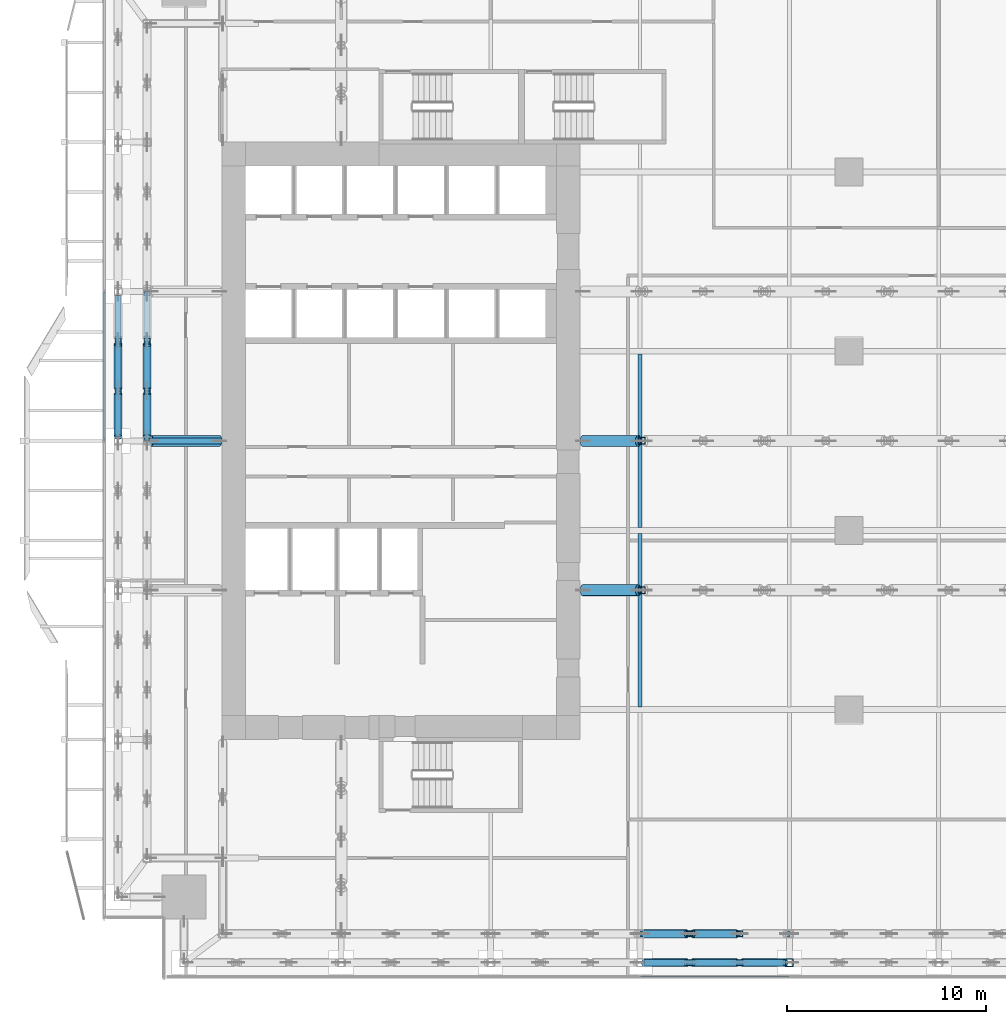
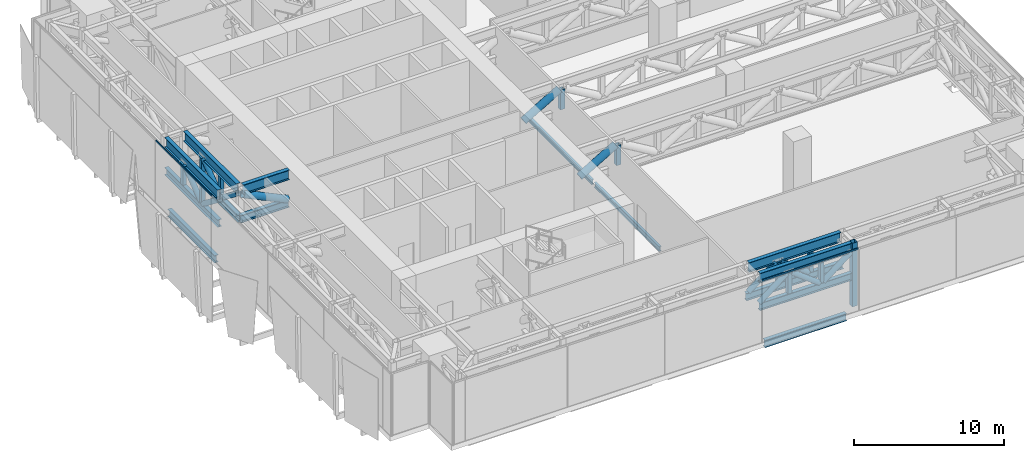
# One storey, part 7 of 39: 35 members, 4 beams, 2 elements without a shape of their own.
"""IFC4 building model written with IfcOpenShell, lengths in metres."""

from ifc_helpers import new_model, si_unit, direction, frame, origin, origin_2d, place, context, subcontext, project, spatial, hollow_rectangle, hollow_circle, i_section, extrude, source, transform, mapped, material, material_profile, profile_set, type_object, element, aggregate, save


model = new_model("IFC4")

# Units and contexts
model_context = context("Model", 3, precision=1e-05, world=origin(), true_north=direction((0.0, 1.0)))
body_context = subcontext(model_context, "Body", "Model", "MODEL_VIEW")
ifc_project = project(units=[si_unit("LENGTHUNIT", "METRE"), si_unit("AREAUNIT", "SQUARE_METRE"), si_unit("VOLUMEUNIT", "CUBIC_METRE"), si_unit("PLANEANGLEUNIT", "RADIAN"), si_unit("MASSUNIT", "GRAM", prefix="KILO")], contexts=[model_context])

# Site, building, storey
site_placement = place(None, origin())
site = spatial("IfcSite", under=ifc_project, at=site_placement, CompositionType="ELEMENT")
building_placement = place(site_placement, origin())
building = spatial("IfcBuilding", under=site, at=building_placement, Name="Khomas Fold Tower", CompositionType="ELEMENT")
storey_placement = place(building_placement, frame((0.0, 0.0, 96.0)))
storey = spatial("IfcBuildingStorey", under=building, at=storey_placement, Name="L20", CompositionType="ELEMENT", Elevation=96.0)

# Beams
ifc_material_1 = material(Name="Steel S355", Category="steel")
ifc_material_profile_1 = material_profile(ifc_material_1, i_section(OverallWidth=0.179931640625, OverallDepth=0.39990234375, WebThickness=0.008544921875, FlangeThickness=0.013427734375, at=origin_2d()), Name="IPE 400")
ifc_profile_set_1 = profile_set([ifc_material_profile_1], Name="Steel S355")
beam_type_1 = type_object("IfcBeamType", Name="IPE 400 beam JB3", PredefinedType="BEAM", material=ifc_profile_set_1)
shared_shape_1 = source(origin(), body_context, "Body", "SweptSolid", [
    extrude(i_section(OverallWidth=0.179931640625, OverallDepth=0.39990234375, WebThickness=0.008544921875, FlangeThickness=0.013427734375, at=origin_2d()), origin(), (0.0, 0.0, 1.0), 8.7001953125),
])
for number, where, z_axis, x_axis, name in (
    (1, (27.0, 13.64990234375, -0.60009765625), (0.0, 1.0, 0.0), (-1.0, 0.0, 0.0), "JB3"),
    (2, (27.0, 22.64990234375, -0.60009765625), (0.0, 1.0, 0.0), (-1.0, 0.0, 0.0), "JB3"),
):
    element("IfcBeam", number, at=place(storey_placement, frame(where, z_axis=z_axis, x_axis=x_axis)), inside=storey, type_object=beam_type_1, Name=name, PredefinedType="BEAM", context=body_context, shape_type="MappedRepresentation", body=[
        mapped(shared_shape_1, transform((0.0, 0.0, 0.0))),
    ])
ifc_material_2 = material(Name="Steel S355", Category="steel")
ifc_material_profile_2 = material_profile(ifc_material_2, i_section(OverallWidth=0.300048828125, OverallDepth=0.60009765625, WebThickness=0.015380859375, FlangeThickness=0.030029296875, at=origin_2d()), Name="HE 600 B")
ifc_profile_set_2 = profile_set([ifc_material_profile_2], Name="Steel S355")
beam_type_2 = type_object("IfcBeamType", Name="HE 600 B spandrel SB1", PredefinedType="SPANDREL", material=ifc_profile_set_2)
shared_shape_2 = source(origin(), body_context, "Body", "SweptSolid", [
    extrude(i_section(OverallWidth=0.300048828125, OverallDepth=0.60009765625, WebThickness=0.015380859375, FlangeThickness=0.030029296875, at=origin_2d()), origin(), (0.0, 0.0, 1.0), 6.2998046875),
])
for number, where, z_axis, x_axis, name in (
    (3, (27.60009765625, 0.800048828125, -0.699951171875), (1.0, 0.0, 0.0), (0.0, 1.0, 0.0), "SB1"),
    (4, (0.800048828125, 27.60009765625, -0.699951171875), (0.0, 1.0, 0.0), (-1.0, 0.0, 0.0), "SB1"),
):
    element("IfcBeam", number, at=place(storey_placement, frame(where, z_axis=z_axis, x_axis=x_axis)), inside=storey, type_object=beam_type_2, Name=name, PredefinedType="SPANDREL", context=body_context, shape_type="MappedRepresentation", body=[
        mapped(shared_shape_2, transform((0.0, 0.0, 0.0))),
    ])

# Members
ifc_material_3 = material(Name="Steel S355", Category="steel")
ifc_material_profile_3 = material_profile(ifc_material_3, i_section(OverallWidth=0.300048828125, OverallDepth=0.60009765625, WebThickness=0.015380859375, FlangeThickness=0.030029296875, at=origin_2d()), Name="HE 600 B")
ifc_profile_set_3 = profile_set([ifc_material_profile_3], Name="Steel S355")
member_type_1 = type_object("IfcMemberType", Name="BELT TRUSS 1 BOTTOM CHORD HE 600 B", PredefinedType="CHORD", material=ifc_profile_set_3)
shared_shape_3 = source(origin(), body_context, "Body", "SweptSolid", [
    extrude(i_section(OverallWidth=0.300048828125, OverallDepth=0.60009765625, WebThickness=0.015380859375, FlangeThickness=0.030029296875, at=origin_2d()), origin(), (0.0, 0.0, 1.0), 7.5),
])
for number, where, z_axis, x_axis, name in (
    (5, (27.0, 2.25, 2.449951171875), (1.0, 0.0, 0.0), (0.0, 1.0, 0.0), "BT1-CB"),
    (6, (2.25, 34.5, 2.449951171875), (0.0, -1.0, 0.0), (1.0, 0.0, 0.0), "BT1-CB"),
):
    element("IfcMember", number, at=place(storey_placement, frame(where, z_axis=z_axis, x_axis=x_axis)), inside=storey, type_object=member_type_1, Name=name, PredefinedType="CHORD", context=body_context, shape_type="MappedRepresentation", body=[
        mapped(shared_shape_3, transform((0.0, 0.0, 0.0))),
    ])
ifc_material_4 = material(Name="Steel S355", Category="steel")
ifc_material_profile_4 = material_profile(ifc_material_4, hollow_rectangle(XDim=0.300048828125, YDim=0.300048828125, WallThickness=0.01611328125, at=origin_2d()), Name="SHS 300x300x16")
ifc_profile_set_4 = profile_set([ifc_material_profile_4], Name="Steel S355")
member_type_2 = type_object("IfcMemberType", Name="BELT TRUSS 1 MID POST SHS 300x300x16", PredefinedType="POST", material=ifc_profile_set_4)
shared_shape_4 = source(origin(), body_context, "Body", "SweptSolid", [
    extrude(hollow_rectangle(XDim=0.300048828125, YDim=0.300048828125, WallThickness=0.01611328125, at=origin_2d()), origin(), (0.0, 0.0, 1.0), 1.64990234375),
])
for number, where, z_axis, x_axis, name in (
    (7, (29.5, 0.800048828125, 2.75), (0.0, 0.0, 1.0), (1.0, 0.0, 0.0), "BT1-M"),
    (8, (32.0, 0.800048828125, 2.75), (0.0, 0.0, 1.0), (1.0, 0.0, 0.0), "BT1-M"),
    (9, (0.800048828125, 32.0, 2.75), (0.0, 0.0, 1.0), (1.0, 0.0, 0.0), "BT1-M"),
    (10, (0.800048828125, 29.5, 2.75), (0.0, 0.0, 1.0), (1.0, 0.0, 0.0), "BT1-M"),
    (11, (29.5, 2.25, 2.75), (0.0, 0.0, 1.0), (1.0, 0.0, 0.0), "BT1-M"),
    (12, (32.0, 2.25, 2.75), (0.0, 0.0, 1.0), (1.0, 0.0, 0.0), "BT1-M"),
    (13, (2.25, 32.0, 2.75), (0.0, 0.0, 1.0), (1.0, 0.0, 0.0), "BT1-M"),
    (14, (2.25, 29.5, 2.75), (0.0, 0.0, 1.0), (1.0, 0.0, 0.0), "BT1-M"),
):
    element("IfcMember", number, at=place(storey_placement, frame(where, z_axis=z_axis, x_axis=x_axis)), inside=storey, type_object=member_type_2, Name=name, PredefinedType="POST", context=body_context, shape_type="MappedRepresentation", body=[
        mapped(shared_shape_4, transform((0.0, 0.0, 0.0))),
    ])
ifc_material_5 = material(Name="Steel S460M", Category="steel")
ifc_material_profile_5 = material_profile(ifc_material_5, i_section(OverallWidth=0.300048828125, OverallDepth=0.800048828125, WebThickness=0.017578125, FlangeThickness=0.032958984375, at=origin_2d()), Name="HE 800 B")
ifc_profile_set_5 = profile_set([ifc_material_profile_5], Name="Steel S460M")
member_type_3 = type_object("IfcMemberType", Name="BELT TRUSS 1 TOP CHORD HE 800 B", PredefinedType="CHORD", material=ifc_profile_set_5)
shared_shape_5 = source(origin(), body_context, "Body", "SweptSolid", [
    extrude(i_section(OverallWidth=0.300048828125, OverallDepth=0.800048828125, WebThickness=0.017578125, FlangeThickness=0.032958984375, at=origin_2d()), origin(), (0.0, 0.0, 1.0), 7.10009765625),
])
for number, where, z_axis, x_axis, name in (
    (15, (27.199951171875, 0.800048828125, 4.800048828125), (1.0, 0.0, 0.0), (0.0, 1.0, 0.0), "BT1-CT"),
    (16, (0.800048828125, 34.300048828125, 4.800048828125), (0.0, -1.0, 0.0), (1.0, 0.0, 0.0), "BT1-CT"),
    (17, (27.199951171875, 2.25, 4.800048828125), (1.0, 0.0, 0.0), (0.0, 1.0, 0.0), "BT1-CT"),
    (18, (2.25, 34.300048828125, 4.800048828125), (0.0, -1.0, 0.0), (1.0, 0.0, 0.0), "BT1-CT"),
):
    element("IfcMember", number, at=place(storey_placement, frame(where, z_axis=z_axis, x_axis=x_axis)), inside=storey, type_object=member_type_3, Name=name, PredefinedType="CHORD", context=body_context, shape_type="MappedRepresentation", body=[
        mapped(shared_shape_5, transform((0.0, 0.0, 0.0))),
    ])
shared_shape_6 = source(origin(), body_context, "Body", "SweptSolid", [
    extrude(i_section(OverallWidth=0.300048828125, OverallDepth=0.60009765625, WebThickness=0.015380859375, FlangeThickness=0.030029296875, at=origin_2d()), origin(), (0.0, 0.0, 1.0), 7.10009765625),
])
for number, where, z_axis, x_axis, name in (
    (19, (27.199951171875, 0.800048828125, 2.449951171875), (1.0, 0.0, 0.0), (0.0, 1.0, 0.0), "BT1-CB"),
    (20, (0.800048828125, 34.300048828125, 2.449951171875), (0.0, -1.0, 0.0), (1.0, 0.0, 0.0), "BT1-CB"),
):
    element("IfcMember", number, at=place(storey_placement, frame(where, z_axis=z_axis, x_axis=x_axis)), inside=storey, type_object=member_type_1, Name=name, PredefinedType="CHORD", context=body_context, shape_type="MappedRepresentation", body=[
        mapped(shared_shape_6, transform((0.0, 0.0, 0.0))),
    ])
ifc_material_6 = material(Name="Steel S355", Category="steel")
ifc_material_profile_6 = material_profile(ifc_material_6, hollow_circle(Radius=0.203125, WallThickness=0.01611328125, at=origin_2d()), Name="CHS 406.4x16")
ifc_profile_set_6 = profile_set([ifc_material_profile_6], Name="Steel S355")
member_type_4 = type_object("IfcMemberType", Name="BELT TRUSS 1 DIAGONAL CHS 406.4x16", PredefinedType="BRACE", material=ifc_profile_set_6)
shared_shape_7 = source(origin(), body_context, "Body", "SweptSolid", [
    extrude(hollow_circle(Radius=0.203125, WallThickness=0.01611328125, at=origin_2d()), origin(), (0.0, 0.0, 1.0), 2.71630859375),
])
for number, where, z_axis, x_axis, name in (
    (21, (27.199951171875, 0.800048828125, 2.7451171875), (0.791563625226, 0.0, 0.611086759159), (0.0, 1.0, 0.0), "BT1-D"),
    (22, (32.14990234375, 0.800048828125, 2.7451171875), (0.791563625226, 0.0, 0.611086759159), (0.0, 1.0, 0.0), "BT1-D"),
    (23, (0.800048828125, 29.35009765625, 2.7451171875), (0.0, -0.791563625226, 0.611086759159), (1.0, 0.0, 0.0), "BT1-D"),
    (24, (27.199951171875, 2.25, 2.7451171875), (0.791563625226, 0.0, 0.611086759159), (0.0, 1.0, 0.0), "BT1-D"),
    (25, (2.25, 29.35009765625, 2.7451171875), (0.0, -0.791563625226, 0.611086759159), (1.0, 0.0, 0.0), "BT1-D"),
):
    element("IfcMember", number, at=place(storey_placement, frame(where, z_axis=z_axis, x_axis=x_axis)), inside=storey, type_object=member_type_4, Name=name, PredefinedType="BRACE", context=body_context, shape_type="MappedRepresentation", body=[
        mapped(shared_shape_7, transform((0.0, 0.0, 0.0))),
    ])
shared_shape_8 = source(origin(), body_context, "Body", "SweptSolid", [
    extrude(hollow_circle(Radius=0.203125, WallThickness=0.01611328125, at=origin_2d()), origin(), (0.0, 0.0, 1.0), 2.756103515625),
])
for number, where, z_axis, x_axis, name in (
    (26, (29.64990234375, 0.800048828125, 4.405029296875), (0.798296022167, 0.0, -0.602265274602), (0.0, 1.0, 0.0), "BT1-D"),
    (27, (0.800048828125, 31.85009765625, 4.405029296875), (0.0, -0.798296022167, -0.602265274602), (1.0, 0.0, 0.0), "BT1-D"),
    (28, (29.64990234375, 2.25, 4.405029296875), (0.798296022167, 0.0, -0.602265274602), (0.0, 1.0, 0.0), "BT1-D"),
    (29, (2.25, 31.85009765625, 4.405029296875), (0.0, -0.798296022167, -0.602265274602), (1.0, 0.0, 0.0), "BT1-D"),
):
    element("IfcMember", number, at=place(storey_placement, frame(where, z_axis=z_axis, x_axis=x_axis)), inside=storey, type_object=member_type_4, Name=name, PredefinedType="BRACE", context=body_context, shape_type="MappedRepresentation", body=[
        mapped(shared_shape_8, transform((0.0, 0.0, 0.0))),
    ])
ifc_material_7 = material(Name="Steel S460M", Category="steel")
ifc_material_profile_7 = material_profile(ifc_material_7, hollow_rectangle(XDim=0.39990234375, YDim=0.39990234375, WallThickness=0.02001953125, at=origin_2d()), Name="SHS 400x400x20")
ifc_profile_set_7 = profile_set([ifc_material_profile_7], Name="Steel S460M")
member_type_5 = type_object("IfcMemberType", Name="BELT TRUSS 1 COLUMN POST LONG SHS 400x400x20", PredefinedType="POST", material=ifc_profile_set_7)
shared_shape_9 = source(origin(), body_context, "Body", "SweptSolid", [
    extrude(hollow_rectangle(XDim=0.39990234375, YDim=0.39990234375, WallThickness=0.02001953125, at=origin_2d()), origin(), (0.0, 0.0, 1.0), 5.199951171875),
])
member_1_placement = place(storey_placement, frame((34.5, 0.800048828125, 0.0), z_axis=(0.0, 0.0, 1.0), x_axis=(1.0, 0.0, 0.0)))
element("IfcMember", 30, at=member_1_placement, inside=storey, type_object=member_type_5, Name="BT1-PL", PredefinedType="POST", context=body_context, shape_type="MappedRepresentation", body=[
    mapped(shared_shape_9, transform((0.0, 0.0, 0.0))),
])
ifc_material_8 = material(Name="Steel S355", Category="steel")
ifc_material_profile_8 = material_profile(ifc_material_8, hollow_circle(Radius=0.279541015625, WallThickness=0.01611328125, at=origin_2d()), Name="CHS 559x16")
ifc_profile_set_8 = profile_set([ifc_material_profile_8], Name="Steel S355")
member_type_6 = type_object("IfcMemberType", Name="OUTRIGGER 1 DIAGONAL CHS 559x16", PredefinedType="BRACE", material=ifc_profile_set_8)
shared_shape_10 = source(origin(), body_context, "Body", "SweptSolid", [
    extrude(hollow_circle(Radius=0.279541015625, WallThickness=0.01611328125, at=origin_2d()), origin(), (0.0, 0.0, 1.0), 3.21435546875),
])
for number, where, z_axis, x_axis, name in (
    (31, (24.1357421875, 19.5, 2.764892578125), (0.862583684428, 0.0, 0.505914407147), (0.0, 1.0, 0.0), "OR1-D"),
    (32, (24.1357421875, 27.0, 2.764892578125), (0.862583684428, 0.0, 0.505914407147), (0.0, 1.0, 0.0), "OR1-D"),
):
    element("IfcMember", number, at=place(storey_placement, frame(where, z_axis=z_axis, x_axis=x_axis)), inside=storey, type_object=member_type_6, Name=name, PredefinedType="BRACE", context=body_context, shape_type="MappedRepresentation", body=[
        mapped(shared_shape_10, transform((0.0, 0.0, 0.0))),
    ])
ifc_material_9 = material(Name="Steel S355", Category="steel")
ifc_material_profile_9 = material_profile(ifc_material_9, hollow_rectangle(XDim=0.35009765625, YDim=0.35009765625, WallThickness=0.02001953125, at=origin_2d()), Name="SHS 350x350x20")
ifc_profile_set_9 = profile_set([ifc_material_profile_9], Name="Steel S355")
member_type_7 = type_object("IfcMemberType", Name="OUTRIGGER 1 MID POST SHS 350x350x20", PredefinedType="POST", material=ifc_profile_set_9)
shared_shape_11 = source(origin(), body_context, "Body", "SweptSolid", [
    extrude(hollow_rectangle(XDim=0.35009765625, YDim=0.35009765625, WallThickness=0.02001953125, at=origin_2d()), origin(), (0.0, 0.0, 1.0), 1.615966796875),
])
for number, where, z_axis, x_axis, name in (
    (33, (27.083251953125, 19.5, 2.77001953125), (0.0, 0.0, 1.0), (1.0, 0.0, 0.0), "OR1-M"),
    (34, (27.083251953125, 27.0, 2.77001953125), (0.0, 0.0, 1.0), (1.0, 0.0, 0.0), "OR1-M"),
):
    element("IfcMember", number, at=place(storey_placement, frame(where, z_axis=z_axis, x_axis=x_axis)), inside=storey, type_object=member_type_7, Name=name, PredefinedType="POST", context=body_context, shape_type="MappedRepresentation", body=[
        mapped(shared_shape_11, transform((0.0, 0.0, 0.0))),
    ])
ifc_material_10 = material(Name="Steel S460M", Category="steel")
ifc_material_profile_10 = material_profile(ifc_material_10, i_section(OverallWidth=0.302978515625, OverallDepth=0.81396484375, WebThickness=0.02099609375, FlangeThickness=0.0400390625, at=origin_2d()), Name="HE 800 M")
ifc_profile_set_10 = profile_set([ifc_material_profile_10], Name="Steel S460M")
member_type_8 = type_object("IfcMemberType", Name="OUTRIGGER 1 TOP CHORD HE 800 M", PredefinedType="CHORD", material=ifc_profile_set_10)
shared_shape_12 = source(origin(), body_context, "Body", "SweptSolid", [
    extrude(i_section(OverallWidth=0.302978515625, OverallDepth=0.81396484375, WebThickness=0.02099609375, FlangeThickness=0.0400390625, at=origin_2d()), origin(), (0.0, 0.0, 1.0), 3.550048828125),
])
member_2_placement = place(storey_placement, frame((6.0, 27.0, 4.79296875), z_axis=(-1.0, 0.0, 0.0), x_axis=(0.0, -1.0, 0.0)))
element("IfcMember", 35, at=member_2_placement, inside=storey, type_object=member_type_8, Name="OR1-CT", PredefinedType="CHORD", context=body_context, shape_type="MappedRepresentation", body=[
    mapped(shared_shape_12, transform((0.0, 0.0, 0.0))),
])
ifc_material_11 = material(Name="Steel S460M", Category="steel")
ifc_material_profile_11 = material_profile(ifc_material_11, i_section(OverallWidth=0.304931640625, OverallDepth=0.6201171875, WebThickness=0.02099609375, FlangeThickness=0.0400390625, at=origin_2d()), Name="HE 600 M")
ifc_profile_set_11 = profile_set([ifc_material_profile_11], Name="Steel S460M")
member_type_9 = type_object("IfcMemberType", Name="OUTRIGGER 1 BOTTOM CHORD HE 600 M", PredefinedType="CHORD", material=ifc_profile_set_11)
shared_shape_13 = source(origin(), body_context, "Body", "SweptSolid", [
    extrude(i_section(OverallWidth=0.304931640625, OverallDepth=0.6201171875, WebThickness=0.02099609375, FlangeThickness=0.0400390625, at=origin_2d()), origin(), (0.0, 0.0, 1.0), 3.75),
])
member_3_placement = place(storey_placement, frame((6.0, 27.0, 2.4599609375), z_axis=(-1.0, 0.0, 0.0), x_axis=(0.0, -1.0, 0.0)))
element("IfcMember", 36, at=member_3_placement, inside=storey, type_object=member_type_9, Name="OR1-CB", PredefinedType="CHORD", context=body_context, shape_type="MappedRepresentation", body=[
    mapped(shared_shape_13, transform((0.0, 0.0, 0.0))),
])
shared_shape_14 = source(origin(), body_context, "Body", "SweptSolid", [
    extrude(hollow_circle(Radius=0.279541015625, WallThickness=0.01611328125, at=origin_2d()), origin(), (0.0, 0.0, 1.0), 3.7998046875),
])
member_4_placement = place(storey_placement, frame((5.88427734375, 27.0, 2.764892578125), z_axis=(-0.903795393476, 0.0, 0.427964819503), x_axis=(0.0, -1.0, 0.0)))
element("IfcMember", 37, at=member_4_placement, inside=storey, type_object=member_type_6, Name="OR1-D", PredefinedType="BRACE", context=body_context, shape_type="MappedRepresentation", body=[
    mapped(shared_shape_14, transform((0.0, 0.0, 0.0))),
])

# Curtain wall, member
ifc_material_12 = material(Name="Aluminium framed double glazing", Category="aluminium")
curtain_wall_type = type_object("IfcCurtainWallType", Name="SK-Plant louvre wall CW4", PredefinedType="NOTDEFINED", material=ifc_material_12)
curtain_wall_1_placement = place(storey_placement, origin())
curtain_wall_1 = element("IfcCurtainWall", 38, at=curtain_wall_1_placement, inside=storey, type_object=curtain_wall_type, Name="CW4 run L20 00-0", PredefinedType="NOTDEFINED")
ifc_material_13 = material(Name="Aluminium", Category="aluminium")
ifc_material_profile_12 = material_profile(ifc_material_13, hollow_rectangle(XDim=0.06005859375, YDim=0.1201171875, WallThickness=0.00390625, at=origin_2d()), Name="SK-Plant louvre wall transom CW4-T")
ifc_profile_set_12 = profile_set([ifc_material_profile_12], Name="Aluminium")
member_type_10 = type_object("IfcMemberType", Name="SK-Plant louvre wall transom CW4-T", PredefinedType="USERDEFINED", material=ifc_profile_set_12)
shared_shape_15 = source(origin(), body_context, "Body", "SweptSolid", [
    extrude(hollow_rectangle(XDim=0.06005859375, YDim=0.1201171875, WallThickness=0.00390625, at=origin_2d()), origin(), (0.0, 0.0, 1.0), 7.43994140625),
])
member_5_placement = place(storey_placement, frame((27.030029296875, 0.10009765625, 5.0400390625), z_axis=(1.0, 0.0, 0.0), x_axis=(0.0, 1.0, 0.0)))
member_5 = element("IfcMember", 39, at=member_5_placement, type_object=member_type_10, Name="CW4 transom 5", ObjectType="TRANSOM", PredefinedType="USERDEFINED", context=body_context, shape_type="MappedRepresentation", body=[
    mapped(shared_shape_15, transform((0.0, 0.0, 0.0))),
])
aggregate(curtain_wall_1, [member_5])

curtain_wall_2_placement = place(storey_placement, origin())
curtain_wall_2 = element("IfcCurtainWall", 40, at=curtain_wall_2_placement, inside=storey, type_object=curtain_wall_type, Name="CW4 run L20 09-0", PredefinedType="NOTDEFINED")
member_6_placement = place(storey_placement, frame((0.10009765625, 34.469970703125, 5.0400390625), z_axis=(0.0, -1.0, 0.0), x_axis=(1.0, 0.0, 0.0)))
member_6 = element("IfcMember", 41, at=member_6_placement, type_object=member_type_10, Name="CW4 transom 4", ObjectType="TRANSOM", PredefinedType="USERDEFINED", context=body_context, shape_type="MappedRepresentation", body=[
    mapped(shared_shape_15, transform((0.0, 0.0, 0.0))),
])
aggregate(curtain_wall_2, [member_6])

save(model, "model.ifc")
